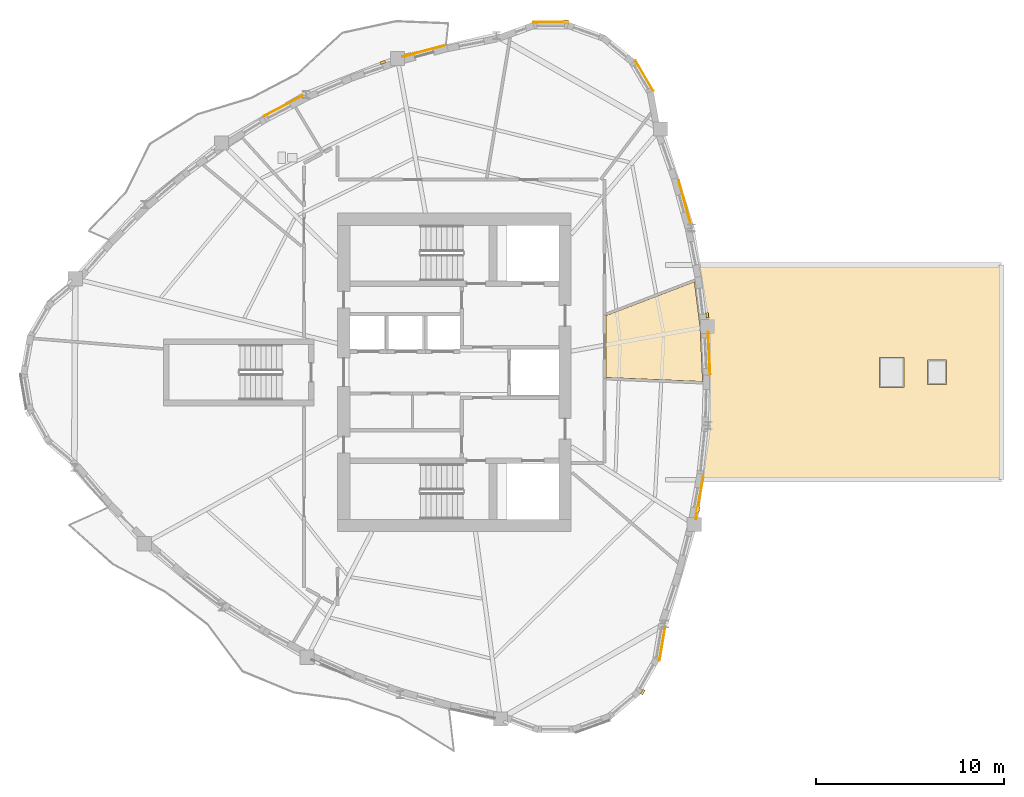
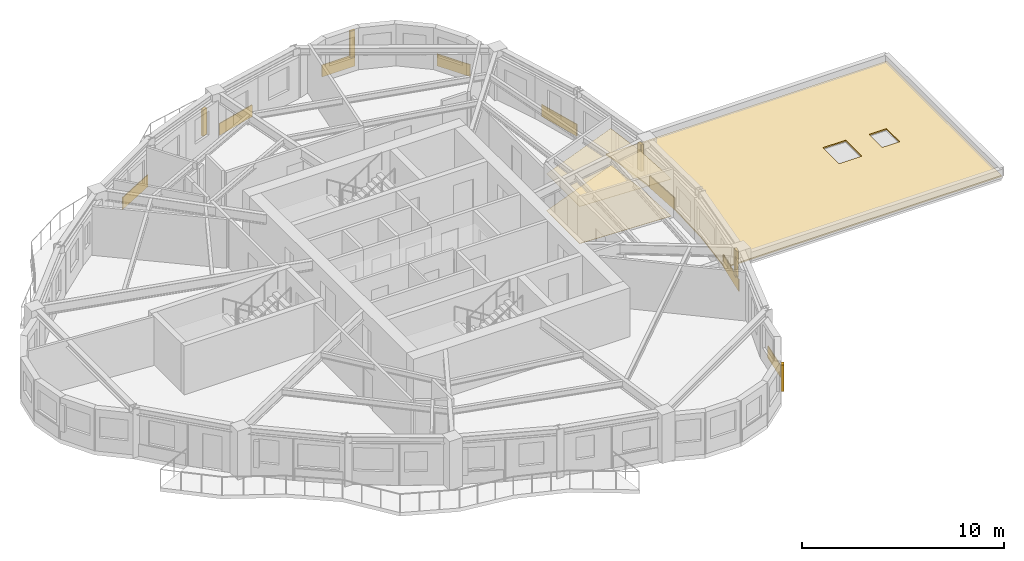
# One storey, part 10 of 11: 11 coverings, 5 shading devices.
"""IFC4 building model written with IfcOpenShell, lengths in metres."""

from ifc_helpers import new_model, si_unit, direction, frame, origin, origin_2d, place, context, subcontext, project, spatial, polyline, rectangle, outline, extrude, source, transform, mapped, material, layer, layer_set, type_object, element, save


model = new_model("IFC4")

# Units and contexts
model_context = context("Model", 3, precision=1e-05, world=origin(), true_north=direction((0.0, 1.0)))
body_context = subcontext(model_context, "Body", "Model", "MODEL_VIEW")
ifc_project = project(units=[si_unit("LENGTHUNIT", "METRE"), si_unit("AREAUNIT", "SQUARE_METRE"), si_unit("VOLUMEUNIT", "CUBIC_METRE"), si_unit("PLANEANGLEUNIT", "RADIAN"), si_unit("MASSUNIT", "GRAM", prefix="KILO")], contexts=[model_context])

# Site, building, storey
site_placement = place(None, origin())
site = spatial("IfcSite", under=ifc_project, at=site_placement, CompositionType="ELEMENT")
building_placement = place(site_placement, origin())
building = spatial("IfcBuilding", under=site, at=building_placement, Name="Qafzar Sky-Pleat Residences", CompositionType="ELEMENT")
storey_placement = place(building_placement, frame((0.0, 0.0, 161.800048828125)))
storey = spatial("IfcBuildingStorey", under=building, at=storey_placement, Name="L48", CompositionType="ELEMENT", Elevation=161.800048828125)

# Coverings
ifc_material_1 = material(Name="Perforated acoustic gypsum board ceiling")
ifc_layer_1 = layer(ifc_material_1, 0.02001953125)
ifc_layer_set_1 = layer_set([ifc_layer_1], Name="Perforated acoustic gypsum board ceiling")
covering_type_1 = type_object("IfcCoveringType", Name="COV-CEIL-ACOUSTIC", PredefinedType="CEILING", material=ifc_layer_set_1)
covering_1_placement = place(storey_placement, frame((0.0, 0.0, 2.239990234375)))
element("IfcCovering", 1, at=covering_1_placement, inside=storey, type_object=covering_type_1, Name="L48 Co-Living Lounge Acoustic Ceiling", PredefinedType="CEILING", context=body_context, shape_type="SweptSolid", body=[
    extrude(outline(polyline([(43.39111328125, 28.3955078125), (43.514892578125, 25.800537109375), (43.506591796875, 25.512451171875), (38.389892578125, 25.7255859375), (38.389892578125, 29.00830078125), (43.092529296875, 30.805419921875), (43.39111328125, 28.3955078125)])), origin(), (0.0, 0.0, 1.0), 0.02001953125),
])
ifc_material_2 = material(Name="Honed porcelain and Riyadh stone tile flooring", Category="masonry")
ifc_layer_2 = layer(ifc_material_2, 0.02001953125)
ifc_layer_set_2 = layer_set([ifc_layer_2], Name="Honed porcelain and Riyadh stone tile flooring")
covering_type_2 = type_object("IfcCoveringType", Name="COV-FLR-PORCELAIN", PredefinedType="FLOORING", material=ifc_layer_set_2)
covering_2_placement = place(storey_placement, origin())
element("IfcCovering", 2, at=covering_2_placement, inside=storey, type_object=covering_type_2, Name="L48 Co-Living Lounge Honed Stone Flooring", PredefinedType="FLOORING", context=body_context, shape_type="SweptSolid", body=[
    extrude(outline(polyline([(43.39111328125, 28.3955078125), (43.514892578125, 25.800537109375), (43.506591796875, 25.512451171875), (38.389892578125, 25.7255859375), (38.389892578125, 29.00830078125), (43.092529296875, 30.805419921875), (43.39111328125, 28.3955078125)])), origin(), (0.0, 0.0, 1.0), 0.02001953125),
])
ifc_material_3 = material(Name="Inverted elastomeric waterproofing membrane and gravel ballast")
ifc_layer_3 = layer(ifc_material_3, 0.080078125)
ifc_layer_set_3 = layer_set([ifc_layer_3], Name="Inverted elastomeric waterproofing membrane and gravel ballast")
covering_type_3 = type_object("IfcCoveringType", Name="COV-ROOF-MEMB", PredefinedType="ROOFING", material=ifc_layer_set_3)
covering_3_placement = place(storey_placement, origin())
element("IfcCovering", 3, at=covering_3_placement, inside=storey, type_object=covering_type_3, Name="L48 SB-4 Roof Waterproofing Membrane", PredefinedType="ROOFING", context=body_context, shape_type="SweptSolid", body=[
    extrude(outline(polyline([(59.392578125, 31.699951171875), (59.392578125, 20.300048828125), (43.527099609375, 20.300048828125), (43.571533203125, 20.547119140625), (43.57177734375, 20.548095703125), (43.845703125, 23.176513671875), (43.845703125, 23.177490234375), (43.919921875, 25.803955078125), (43.919921875, 25.80517578125), (43.794921875, 28.4296875), (43.794677734375, 28.4306640625), (43.469970703125, 31.05322265625), (43.4697265625, 31.05419921875), (43.340576171875, 31.699951171875), (59.392578125, 31.699951171875)]), holes=[polyline([(52.92138671875, 25.199951171875), (54.22119140625, 25.199951171875), (54.22119140625, 26.800048828125), (52.92138671875, 26.800048828125), (52.92138671875, 25.199951171875)]), polyline([(55.47119140625, 25.35009765625), (56.47119140625, 25.35009765625), (56.47119140625, 26.64990234375), (55.47119140625, 26.64990234375), (55.47119140625, 25.35009765625)])]), origin(), (0.0, 0.0, 1.0), 0.079833984375),
])

# Shading devices
ifc_material_4 = material(Name="Honed Riyadh limestone solar fin", Category="masonry")
ifc_layer_4 = layer(ifc_material_4, 0.139892578125)
ifc_layer_set_4 = layer_set([ifc_layer_4], Name="Honed Riyadh limestone solar fin")
shading_device_type = type_object("IfcShadingDeviceType", Name="SHD-FIN-STONE", PredefinedType="SHUTTER", material=ifc_layer_set_4)
shared_shape_1 = source(origin(), body_context, "Body", "SweptSolid", [
    extrude(rectangle(XDim=0.139892578125, YDim=0.280029296875, at=origin_2d()), origin(), (0.0, 0.0, 1.0), 1.60009765625),
])
for number, where, z_axis, x_axis, name in (
    (4, (40.3544921875, 9.034423828125, 0.599853515625), (0.0, 0.0, 1.0), (0.86842169793, -0.495826335086, 0.0), "L48 Limestone Solar Fin 21"),
    (5, (43.293212890625, 18.7177734375, 0.599853515625), (0.0, 0.0, 1.0), (0.9841868466, -0.177133427054, 0.0), "L48 Limestone Solar Fin 25"),
    (6, (43.771484375, 29.024658203125, 0.599853515625), (0.0, 0.0, 1.0), (0.992422165259, 0.122874919748, 0.0), "L48 Limestone Solar Fin 29"),
    (7, (36.27490234375, 44.630859375, 0.599853515625), (0.0, 0.0, 1.0), (-0.002393888715, 0.999997134644, 0.0), "L48 Limestone Solar Fin 37"),
    (8, (26.55126953125, 42.44970703125, 0.599853515625), (0.0, 0.0, 1.0), (-0.329555216315, 0.944136303401, 0.0), "L48 Limestone Solar Fin 41"),
):
    element("IfcShadingDevice", number, at=place(storey_placement, frame(where, z_axis=z_axis, x_axis=x_axis)), inside=storey, type_object=shading_device_type, Name=name, PredefinedType="SHUTTER", context=body_context, shape_type="MappedRepresentation", body=[
        mapped(shared_shape_1, transform((0.0, 0.0, 0.0), x_axis=(1.0, 0.0, 0.0), y_axis=(0.0, 1.0, 0.0), z_axis=(0.0, 0.0, 1.0), scale=1.0)),
    ])

# Coverings
ifc_material_5 = material(Name="Honed Riyadh Tuwaiq limestone cladding", Category="masonry")
ifc_layer_5 = layer(ifc_material_5, 0.044921875)
ifc_layer_set_5 = layer_set([ifc_layer_5], Name="Honed Riyadh Tuwaiq limestone cladding")
covering_type_4 = type_object("IfcCoveringType", Name="COV-CLAD-STONE", PredefinedType="CLADDING", material=ifc_layer_set_5)
shared_shape_2 = source(origin(), body_context, "Body", "SweptSolid", [
    extrude(rectangle(XDim=1.873046875, YDim=0.044921875, at=origin_2d()), origin(), (0.0, 0.0, 1.0), 0.719970703125),
])
covering_4_placement = place(storey_placement, frame((35.47021484375, 44.5859375, 0.02001953125), z_axis=(0.0, 0.0, 1.0), x_axis=(-0.999997113828, -0.002402568631, 0.0)))
element("IfcCovering", 9, at=covering_4_placement, inside=storey, type_object=covering_type_4, Name="L48 Riyadh Limestone Spandrel Cladding 37", PredefinedType="CLADDING", context=body_context, shape_type="MappedRepresentation", body=[
    mapped(shared_shape_2, transform((0.0, 0.0, 0.0), x_axis=(1.0, 0.0, 0.0), y_axis=(0.0, 1.0, 0.0), z_axis=(0.0, 0.0, 1.0), scale=1.0)),
])
shared_shape_3 = source(origin(), body_context, "Body", "SweptSolid", [
    extrude(rectangle(XDim=2.298828125, YDim=0.044921875, at=origin_2d()), origin(), (0.0, 0.0, 1.0), 0.719970703125),
])
covering_5_placement = place(storey_placement, frame((28.705078125, 43.04638671875, 0.02001953125), z_axis=(0.0, 0.0, 1.0), x_axis=(-0.965460603463, -0.260549080139, 0.0)))
element("IfcCovering", 10, at=covering_5_placement, inside=storey, type_object=covering_type_4, Name="L48 Riyadh Limestone Spandrel Cladding 40", PredefinedType="CLADDING", context=body_context, shape_type="MappedRepresentation", body=[
    mapped(shared_shape_3, transform((0.0, 0.0, 0.0), x_axis=(1.0, 0.0, 0.0), y_axis=(0.0, 1.0, 0.0), z_axis=(0.0, 0.0, 1.0), scale=1.0)),
])
shared_shape_4 = source(origin(), body_context, "Body", "SweptSolid", [
    extrude(rectangle(XDim=1.845703125, YDim=0.044921875, at=origin_2d()), origin(), (0.0, 0.0, 1.0), 0.719970703125),
])
covering_6_placement = place(storey_placement, frame((41.386474609375, 11.618408203125, 0.02001953125), z_axis=(0.0, 0.0, 1.0), x_axis=(0.165648245081, 0.98618490097, 0.0)))
element("IfcCovering", 11, at=covering_6_placement, inside=storey, type_object=covering_type_4, Name="L48 Riyadh Limestone Spandrel Cladding 22", PredefinedType="CLADDING", context=body_context, shape_type="MappedRepresentation", body=[
    mapped(shared_shape_4, transform((0.0, 0.0, 0.0), x_axis=(1.0, 0.0, 0.0), y_axis=(0.0, 1.0, 0.0), z_axis=(0.0, 0.0, 1.0), scale=1.0)),
])
shared_shape_5 = source(origin(), body_context, "Body", "SweptSolid", [
    extrude(rectangle(XDim=2.300048828125, YDim=0.044921875, at=origin_2d()), origin(), (0.0, 0.0, 1.0), 0.719970703125),
])
covering_7_placement = place(storey_placement, frame((43.35888671875, 19.32568359375, 0.02001953125), z_axis=(0.0, 0.0, 1.0), x_axis=(0.177146175774, 0.984184552007, 0.0)))
element("IfcCovering", 12, at=covering_7_placement, inside=storey, type_object=covering_type_4, Name="L48 Riyadh Limestone Spandrel Cladding 25", PredefinedType="CLADDING", context=body_context, shape_type="MappedRepresentation", body=[
    mapped(shared_shape_5, transform((0.0, 0.0, 0.0), x_axis=(1.0, 0.0, 0.0), y_axis=(0.0, 1.0, 0.0), z_axis=(0.0, 0.0, 1.0), scale=1.0)),
])
shared_shape_6 = source(origin(), body_context, "Body", "SweptSolid", [
    extrude(rectangle(XDim=2.259521484375, YDim=0.044921875, at=origin_2d()), origin(), (0.0, 0.0, 1.0), 0.719970703125),
])
covering_8_placement = place(storey_placement, frame((43.868896484375, 27.021240234375, 0.02001953125), z_axis=(0.0, 0.0, 1.0), x_axis=(-0.04763895546, 0.998864620418, 0.0)))
element("IfcCovering", 13, at=covering_8_placement, inside=storey, type_object=covering_type_4, Name="L48 Riyadh Limestone Spandrel Cladding 28", PredefinedType="CLADDING", context=body_context, shape_type="MappedRepresentation", body=[
    mapped(shared_shape_6, transform((0.0, 0.0, 0.0), x_axis=(1.0, 0.0, 0.0), y_axis=(0.0, 1.0, 0.0), z_axis=(0.0, 0.0, 1.0), scale=1.0)),
])
shared_shape_7 = source(origin(), body_context, "Body", "SweptSolid", [
    extrude(rectangle(XDim=2.46142578125, YDim=0.044921875, at=origin_2d()), origin(), (0.0, 0.0, 1.0), 0.719970703125),
])
covering_9_placement = place(storey_placement, frame((42.58251953125, 35.01513671875, 0.02001953125), z_axis=(0.0, 0.0, 1.0), x_axis=(-0.266414049308, 0.963858679647, 0.0)))
element("IfcCovering", 14, at=covering_9_placement, inside=storey, type_object=covering_type_4, Name="L48 Riyadh Limestone Spandrel Cladding 31", PredefinedType="CLADDING", context=body_context, shape_type="MappedRepresentation", body=[
    mapped(shared_shape_7, transform((0.0, 0.0, 0.0), x_axis=(1.0, 0.0, 0.0), y_axis=(0.0, 1.0, 0.0), z_axis=(0.0, 0.0, 1.0), scale=1.0)),
])
shared_shape_8 = source(origin(), body_context, "Body", "SweptSolid", [
    extrude(rectangle(XDim=1.872802734375, YDim=0.044921875, at=origin_2d()), origin(), (0.0, 0.0, 1.0), 0.719970703125),
])
covering_10_placement = place(storey_placement, frame((40.429443359375, 41.754638671875, 0.02001953125), z_axis=(0.0, 0.0, 1.0), x_axis=(-0.506253402347, 0.862384770629, 0.0)))
element("IfcCovering", 15, at=covering_10_placement, inside=storey, type_object=covering_type_4, Name="L48 Riyadh Limestone Spandrel Cladding 34", PredefinedType="CLADDING", context=body_context, shape_type="MappedRepresentation", body=[
    mapped(shared_shape_8, transform((0.0, 0.0, 0.0), x_axis=(1.0, 0.0, 0.0), y_axis=(0.0, 1.0, 0.0), z_axis=(0.0, 0.0, 1.0), scale=1.0)),
])
shared_shape_9 = source(origin(), body_context, "Body", "SweptSolid", [
    extrude(rectangle(XDim=2.341064453125, YDim=0.044921875, at=origin_2d()), origin(), (0.0, 0.0, 1.0), 0.719970703125),
])
covering_11_placement = place(storey_placement, frame((21.28662109375, 40.1533203125, 0.02001953125), z_axis=(0.0, 0.0, 1.0), x_axis=(-0.884401502597, -0.466726881811, 0.0)))
element("IfcCovering", 16, at=covering_11_placement, inside=storey, type_object=covering_type_4, Name="L48 Riyadh Limestone Spandrel Cladding 43", PredefinedType="CLADDING", context=body_context, shape_type="MappedRepresentation", body=[
    mapped(shared_shape_9, transform((0.0, 0.0, 0.0), x_axis=(1.0, 0.0, 0.0), y_axis=(0.0, 1.0, 0.0), z_axis=(0.0, 0.0, 1.0), scale=1.0)),
])

save(model, "model.ifc")
